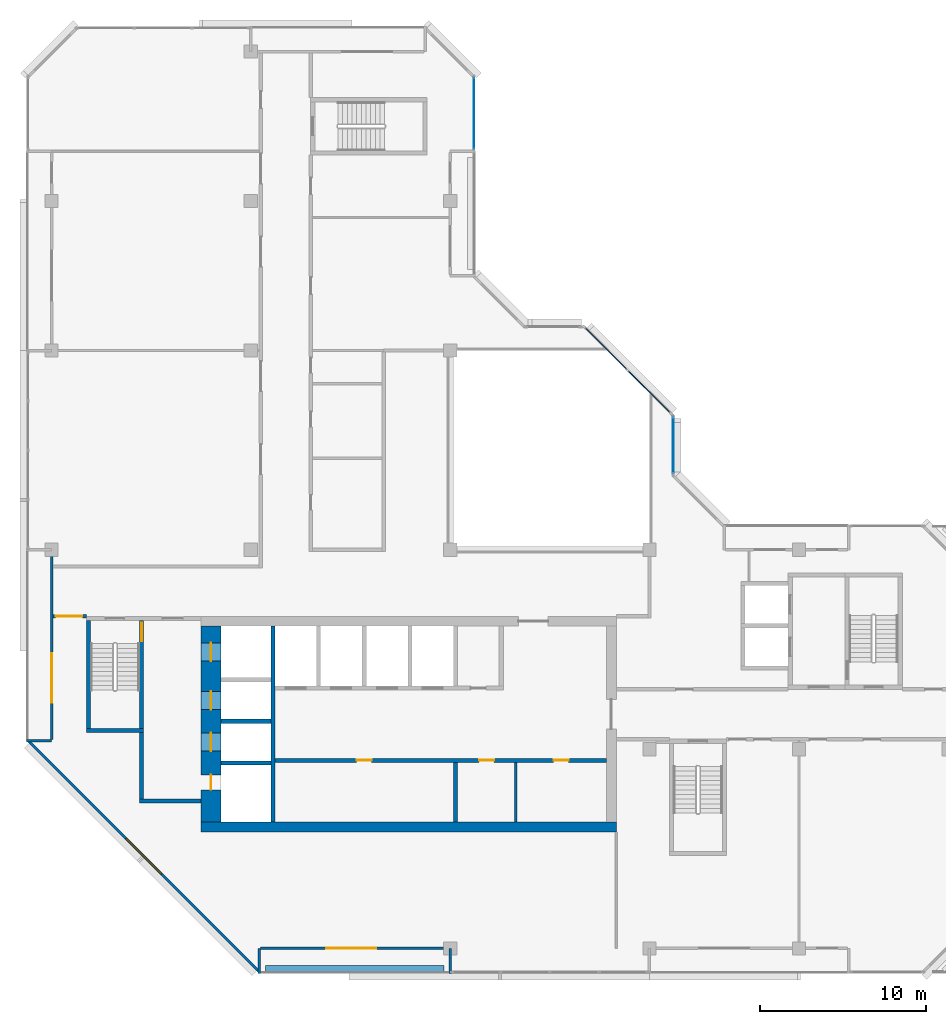
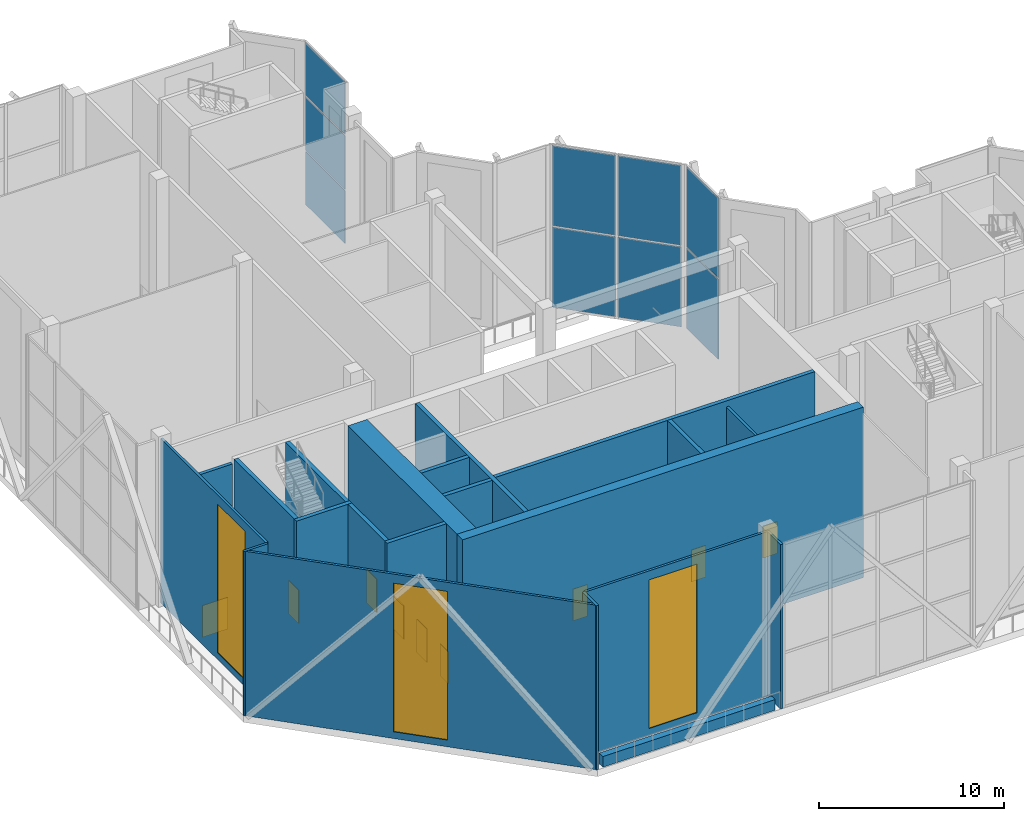
# One storey, part 8 of 16: 21 walls, 9 doors, 9 plates, 3 windows, 12 openings, 3 elements without a shape of their own.
"""IFC4 building model written with IfcOpenShell, lengths in metres."""

from ifc_helpers import new_model, si_unit, direction, frame, frame_2d, origin, origin_2d, place, context, subcontext, project, spatial, rectangle, extrude, material, layer, layer_set, type_object, element, fill, aggregate, save


model = new_model("IFC4")

# Units and contexts
model_context = context("Model", 3, precision=1e-05, world=origin(), true_north=direction((0.0, 1.0)))
body_context = subcontext(model_context, "Body", "Model", "MODEL_VIEW")
ifc_project = project(units=[si_unit("LENGTHUNIT", "METRE"), si_unit("AREAUNIT", "SQUARE_METRE"), si_unit("VOLUMEUNIT", "CUBIC_METRE"), si_unit("PLANEANGLEUNIT", "RADIAN"), si_unit("MASSUNIT", "GRAM", prefix="KILO")], contexts=[model_context])

# Site, building, storey
site_placement = place(None, origin())
site = spatial("IfcSite", under=ifc_project, at=site_placement, CompositionType="ELEMENT")
building_placement = place(site_placement, origin())
building = spatial("IfcBuilding", under=site, at=building_placement, Name="Chenar Terraces", CompositionType="ELEMENT")
storey_placement = place(building_placement, frame((0.0, 0.0, 327.64990234375)))
storey = spatial("IfcBuildingStorey", under=building, at=storey_placement, Name="L77", CompositionType="ELEMENT", Elevation=327.64990234375)

# Curtain wall, plates
ifc_material_1 = material(Name="Aluminium framed glazing", Category="aluminium")
ifc_layer_1 = layer(ifc_material_1, 0.14990234375)
ifc_layer_set_1 = layer_set([ifc_layer_1], Name="Aluminium framed glazing")
curtain_wall_type_1 = type_object("IfcCurtainWallType", Name="Atrium upper-zone curtain wall", PredefinedType="NOTDEFINED", material=ifc_layer_set_1)
placement = place(storey_placement, origin())
curtain_wall_1 = element("IfcCurtainWall", 1, at=placement, inside=storey, type_object=curtain_wall_type_1, Name="Atrium upper-zone curtain wall", PredefinedType="NOTDEFINED")
ifc_material_2 = material(Name="Low emissivity laminated glass, solar control coating", Category="glass")
ifc_layer_2 = layer(ifc_material_2, 0.050048828125)
ifc_layer_set_2 = layer_set([ifc_layer_2], Name="Low emissivity laminated glass, solar control coating")
plate_type_1 = type_object("IfcPlateType", Name="Atrium upper-zone glazing panel 50", PredefinedType="CURTAIN_PANEL", material=ifc_layer_set_2)
plate_1_placement = place(storey_placement, frame((37.425048828125, 30.300048828125, 0.10009765625), z_axis=(0.0, 0.0, 1.0), x_axis=(0.0, 1.0, 0.0)))
plate_1 = element("IfcPlate", 2, at=plate_1_placement, type_object=plate_type_1, Name="CW8-1 panel 1.1", PredefinedType="CURTAIN_PANEL", context=body_context, shape_type="SweptSolid", body=[
    extrude(rectangle(XDim=3.39990234375, YDim=0.050048828125, at=origin_2d()), origin(), (0.0, 0.0, 1.0), 5.27490234375),
])
plate_2_placement = place(storey_placement, frame((37.425048828125, 30.300048828125, 5.47509765625), z_axis=(0.0, 0.0, 1.0), x_axis=(0.0, 1.0, 0.0)))
plate_2 = element("IfcPlate", 3, at=plate_2_placement, type_object=plate_type_1, Name="CW8-1 panel 1.2", PredefinedType="CURTAIN_PANEL", context=body_context, shape_type="SweptSolid", body=[
    extrude(rectangle(XDim=3.39990234375, YDim=0.050048828125, at=origin_2d()), origin(), (0.0, 0.0, 1.0), 5.27490234375),
])
aggregate(curtain_wall_1, [plate_1, plate_2])

curtain_wall_2 = element("IfcCurtainWall", 4, at=placement, inside=storey, type_object=curtain_wall_type_1, Name="Atrium upper-zone curtain wall", PredefinedType="NOTDEFINED")
plate_3_placement = place(storey_placement, frame((35.97314453125, 33.520751953125, 0.10009765625), z_axis=(0.0, 0.0, 1.0), x_axis=(-0.707106781187, 0.707106781187, 0.0)))
plate_3 = element("IfcPlate", 5, at=plate_3_placement, type_object=plate_type_1, Name="CW8-2 panel 1.1", PredefinedType="CURTAIN_PANEL", context=body_context, shape_type="SweptSolid", body=[
    extrude(rectangle(XDim=3.568359375, YDim=0.050048828125, at=origin_2d()), origin(), (0.0, 0.0, 1.0), 5.27490234375),
])
plate_4_placement = place(storey_placement, frame((35.97314453125, 33.520751953125, 5.47509765625), z_axis=(0.0, 0.0, 1.0), x_axis=(-0.707106781187, 0.707106781187, 0.0)))
plate_4 = element("IfcPlate", 6, at=plate_4_placement, type_object=plate_type_1, Name="CW8-2 panel 1.2", PredefinedType="CURTAIN_PANEL", context=body_context, shape_type="SweptSolid", body=[
    extrude(rectangle(XDim=3.568359375, YDim=0.050048828125, at=origin_2d()), origin(), (0.0, 0.0, 1.0), 5.27490234375),
])
plate_5_placement = place(storey_placement, frame((33.379150390625, 36.11474609375, 0.10009765625), z_axis=(0.0, 0.0, 1.0), x_axis=(-0.707106781187, 0.707106781187, 0.0)))
plate_5 = element("IfcPlate", 7, at=plate_5_placement, type_object=plate_type_1, Name="CW8-2 panel 2.1", PredefinedType="CURTAIN_PANEL", context=body_context, shape_type="SweptSolid", body=[
    extrude(rectangle(XDim=3.568359375, YDim=0.050048828125, at=origin_2d()), origin(), (0.0, 0.0, 1.0), 5.27490234375),
])
plate_6_placement = place(storey_placement, frame((33.379150390625, 36.11474609375, 5.47509765625), z_axis=(0.0, 0.0, 1.0), x_axis=(-0.707106781187, 0.707106781187, 0.0)))
plate_6 = element("IfcPlate", 8, at=plate_6_placement, type_object=plate_type_1, Name="CW8-2 panel 2.2", PredefinedType="CURTAIN_PANEL", context=body_context, shape_type="SweptSolid", body=[
    extrude(rectangle(XDim=3.568359375, YDim=0.050048828125, at=origin_2d()), origin(), (0.0, 0.0, 1.0), 5.27490234375),
])
aggregate(curtain_wall_2, [plate_3, plate_4, plate_5, plate_6])

ifc_material_3 = material(Name="Aluminium framed glazing", Category="aluminium")
ifc_layer_3 = layer(ifc_material_3, 0.14990234375)
ifc_layer_set_3 = layer_set([ifc_layer_3], Name="Aluminium framed glazing")
curtain_wall_type_2 = type_object("IfcCurtainWallType", Name="Sky garden curtain wall", PredefinedType="NOTDEFINED", material=ifc_layer_set_3)
curtain_wall_3 = element("IfcCurtainWall", 9, at=placement, inside=storey, type_object=curtain_wall_type_2, Name="Sky garden curtain wall", PredefinedType="NOTDEFINED")
ifc_material_4 = material(Name="Low emissivity laminated glass, solar control coating", Category="glass")
ifc_layer_4 = layer(ifc_material_4, 0.031982421875)
ifc_layer_set_4 = layer_set([ifc_layer_4], Name="Low emissivity laminated glass, solar control coating")
plate_type_2 = type_object("IfcPlateType", Name="Sky garden glazing panel 32", PredefinedType="CURTAIN_PANEL", material=ifc_layer_set_4)
plate_7_placement = place(storey_placement, frame((25.425048828125, 50.28759765625, 0.080078125), z_axis=(0.0, 0.0, 1.0), x_axis=(0.0, 1.0, 0.0)))
plate_7 = element("IfcPlate", 10, at=plate_7_placement, type_object=plate_type_2, Name="CW3-02 panel 1.1", PredefinedType="CURTAIN_PANEL", context=body_context, shape_type="SweptSolid", body=[
    extrude(rectangle(XDim=4.264892578125, YDim=0.028076171875, at=origin_2d()), origin(), (0.0, 0.0, 1.0), 3.4970703125),
])
plate_8_placement = place(storey_placement, frame((25.425048828125, 50.28759765625, 3.6572265625), z_axis=(0.0, 0.0, 1.0), x_axis=(0.0, 1.0, 0.0)))
plate_8 = element("IfcPlate", 11, at=plate_8_placement, type_object=plate_type_2, Name="CW3-02 panel 1.2", PredefinedType="CURTAIN_PANEL", context=body_context, shape_type="SweptSolid", body=[
    extrude(rectangle(XDim=4.264892578125, YDim=0.028076171875, at=origin_2d()), origin(), (0.0, 0.0, 1.0), 3.535888671875),
])
plate_9_placement = place(storey_placement, frame((25.425048828125, 50.28759765625, 7.27294921875), z_axis=(0.0, 0.0, 1.0), x_axis=(0.0, 1.0, 0.0)))
plate_9 = element("IfcPlate", 12, at=plate_9_placement, type_object=plate_type_2, Name="CW3-02 panel 1.3", PredefinedType="CURTAIN_PANEL", context=body_context, shape_type="SweptSolid", body=[
    extrude(rectangle(XDim=4.264892578125, YDim=0.028076171875, at=origin_2d()), origin(), (0.0, 0.0, 1.0), 3.4970703125),
])
aggregate(curtain_wall_3, [plate_7, plate_8, plate_9])

# Wall
ifc_material_5 = material(Name="Gypsum board on steel studs", Category="steel")
ifc_layer_5 = layer(ifc_material_5, 0.14990234375)
ifc_layer_set_5 = layer_set([ifc_layer_5], Name="Gypsum board on steel studs")
wall_type_1 = type_object("IfcWallType", Name="Core partition 150 gypsum board", PredefinedType="PARTITIONING", material=ifc_layer_set_5)
wall_1_placement = place(storey_placement, frame((27.949951171875, 7.60009765625, 0.0), z_axis=(0.0, 0.0, 1.0), x_axis=(0.0, 1.0, 0.0)))
element("IfcWall", 13, at=wall_1_placement, inside=storey, type_object=wall_type_1, Name="Core partition CP1 freed bay wall", PredefinedType="PARTITIONING", context=body_context, shape_type="SweptSolid", body=[
    extrude(rectangle(XDim=3.599853515625, YDim=0.14990234375, at=frame_2d((1.7998046875, 0.0))), origin(), (0.0, 0.0, 1.0), 10.85009765625),
])

# Wall, openings, doors
ifc_material_6 = material(Name="Concrete C50/60", Category="concrete")
ifc_layer_6 = layer(ifc_material_6, 1.199951171875)
ifc_layer_set_6 = layer_set([ifc_layer_6], Name="Concrete C50/60")
wall_type_2 = type_object("IfcWallType", Name="Core wall 1200 Concrete C50/60", PredefinedType="SHEAR", material=ifc_layer_set_6)
wall_2_placement = place(storey_placement, frame((9.60009765625, 7.60009765625, 0.0), z_axis=(0.0, 0.0, 1.0), x_axis=(0.0, 1.0, 0.0)))
wall_2 = element("IfcWall", 14, at=wall_2_placement, inside=storey, type_object=wall_type_2, Name="Core wall W L77", PredefinedType="SHEAR", context=body_context, shape_type="SweptSolid", body=[
    extrude(rectangle(XDim=11.7998046875, YDim=1.199951171875, at=frame_2d((5.89990234375, 0.0))), origin(), (0.0, 0.0, 1.0), 11.25),
])
opening_1_placement = place(wall_2_placement, frame((4.27490234375, 0.0, 0.0)))
opening_1 = element("IfcOpeningElement", 15, at=opening_1_placement, cuts=wall_2, Name="Opening DL77-LD5", PredefinedType="OPENING", context=body_context, shape_type="SweptSolid", body=[
    extrude(rectangle(XDim=1.10009765625, YDim=2.199951171875, at=frame_2d((0.550048828125, 1.10009765625))), frame((0.0, 0.60986328125, 0.0), z_axis=(0.0, -1.0, 0.0), x_axis=(1.0, 0.0, 0.0)), (0.0, 0.0, 1.0), 1.219970703125),
])
opening_2_placement = place(wall_2_placement, frame((6.77490234375, 0.0, 0.0)))
opening_2 = element("IfcOpeningElement", 16, at=opening_2_placement, cuts=wall_2, Name="Opening DL77-LD6", PredefinedType="OPENING", context=body_context, shape_type="SweptSolid", body=[
    extrude(rectangle(XDim=1.10009765625, YDim=2.199951171875, at=frame_2d((0.550048828125, 1.10009765625))), frame((0.0, 0.60986328125, 0.0), z_axis=(0.0, -1.0, 0.0), x_axis=(1.0, 0.0, 0.0)), (0.0, 0.0, 1.0), 1.219970703125),
])
opening_3_placement = place(wall_2_placement, frame((9.699951171875, 0.0, 0.0)))
opening_3 = element("IfcOpeningElement", 17, at=opening_3_placement, cuts=wall_2, Name="Opening DL77-LD7", PredefinedType="OPENING", context=body_context, shape_type="SweptSolid", body=[
    extrude(rectangle(XDim=1.10009765625, YDim=2.199951171875, at=frame_2d((0.550048828125, 1.10009765625))), frame((0.0, 0.60986328125, 0.0), z_axis=(0.0, -1.0, 0.0), x_axis=(1.0, 0.0, 0.0)), (0.0, 0.0, 1.0), 1.219970703125),
])
opening_4_placement = place(wall_2_placement, frame((1.949951171875, 0.0, 0.0)))
opening_4 = element("IfcOpeningElement", 18, at=opening_4_placement, cuts=wall_2, Name="Opening DL77-C4", PredefinedType="OPENING", context=body_context, shape_type="SweptSolid", body=[
    extrude(rectangle(XDim=0.89990234375, YDim=2.10009765625, at=frame_2d((0.449951171875, 1.050048828125))), frame((0.0, 0.60986328125, 0.0), z_axis=(0.0, -1.0, 0.0), x_axis=(1.0, 0.0, 0.0)), (0.0, 0.0, 1.0), 1.219970703125),
])
ifc_material_7 = material(Name="Stainless steel", Category="steel")
door_type_1 = type_object("IfcDoorType", Name="Lift landing door 1100 x 2200 sliding", OperationType="DOUBLE_DOOR_SLIDING", PredefinedType="DOOR", material=ifc_material_7)
door_1_placement = place(opening_1_placement, origin())
door_1 = element("IfcDoor", 19, at=door_1_placement, inside=storey, type_object=door_type_1, Name="Landing door S1", OperationType="DOUBLE_DOOR_SLIDING", OverallHeight=2.199951171875, OverallWidth=1.10009765625, PredefinedType="DOOR", context=body_context, shape_type="SweptSolid", body=[
    extrude(rectangle(XDim=1.10009765625, YDim=2.199951171875, at=frame_2d((0.550048828125, 1.10009765625))), frame((0.0, 0.02490234375, 0.0), z_axis=(0.0, -1.0, 0.0), x_axis=(1.0, 0.0, 0.0)), (0.0, 0.0, 1.0), 0.050048828125),
])
fill(opening_1, door_1)
door_2_placement = place(opening_2_placement, origin())
door_2 = element("IfcDoor", 20, at=door_2_placement, inside=storey, type_object=door_type_1, Name="Landing door F1", OperationType="DOUBLE_DOOR_SLIDING", OverallHeight=2.199951171875, OverallWidth=1.10009765625, PredefinedType="DOOR", context=body_context, shape_type="SweptSolid", body=[
    extrude(rectangle(XDim=1.10009765625, YDim=2.199951171875, at=frame_2d((0.550048828125, 1.10009765625))), frame((0.0, 0.02490234375, 0.0), z_axis=(0.0, -1.0, 0.0), x_axis=(1.0, 0.0, 0.0)), (0.0, 0.0, 1.0), 0.050048828125),
])
fill(opening_2, door_2)
door_3_placement = place(opening_3_placement, origin())
door_3 = element("IfcDoor", 21, at=door_3_placement, inside=storey, type_object=door_type_1, Name="Landing door F2", OperationType="DOUBLE_DOOR_SLIDING", OverallHeight=2.199951171875, OverallWidth=1.10009765625, PredefinedType="DOOR", context=body_context, shape_type="SweptSolid", body=[
    extrude(rectangle(XDim=1.10009765625, YDim=2.199951171875, at=frame_2d((0.550048828125, 1.10009765625))), frame((0.0, 0.02490234375, 0.0), z_axis=(0.0, -1.0, 0.0), x_axis=(1.0, 0.0, 0.0)), (0.0, 0.0, 1.0), 0.050048828125),
])
fill(opening_3, door_3)
ifc_material_8 = material(Name="Steel-framed fire-resisting door leaf", Category="steel")
door_type_2 = type_object("IfcDoorType", Name="Riser fire door FD60 900 x 2100", OperationType="SINGLE_SWING_LEFT", PredefinedType="DOOR", material=ifc_material_8)
door_4_placement = place(opening_4_placement, frame((0.89990234375, 0.0, 0.0), z_axis=(0.0, 0.0, 1.0), x_axis=(-1.0, 0.0, 0.0)))
door_4 = element("IfcDoor", 22, at=door_4_placement, inside=storey, type_object=door_type_2, Name="Riser door DL77-C4", OperationType="SINGLE_SWING_LEFT", OverallHeight=2.10009765625, OverallWidth=0.89990234375, PredefinedType="DOOR", context=body_context, shape_type="SweptSolid", body=[
    extrude(rectangle(XDim=0.89990234375, YDim=2.10009765625, at=frame_2d((0.449951171875, 1.050048828125))), frame((0.0, 0.02490234375, 0.0), z_axis=(0.0, -1.0, 0.0), x_axis=(1.0, 0.0, 0.0)), (0.0, 0.0, 1.0), 0.050048828125),
])
fill(opening_4, door_4)

# Wall
ifc_material_9 = material(Name="Concrete C50/60", Category="concrete")
ifc_layer_7 = layer(ifc_material_9, 0.25)
ifc_layer_set_7 = layer_set([ifc_layer_7], Name="Concrete C50/60")
wall_type_3 = type_object("IfcWallType", Name="Core wall 250 Concrete C50/60", PredefinedType="SHEAR", material=ifc_layer_set_7)
wall_3_placement = place(storey_placement, frame((13.324951171875, 7.60009765625, 0.0), z_axis=(0.0, 0.0, 1.0), x_axis=(0.0, 1.0, 0.0)))
element("IfcWall", 23, at=wall_3_placement, inside=storey, type_object=wall_type_3, Name="Core wall WI L77", PredefinedType="SHEAR", context=body_context, shape_type="SweptSolid", body=[
    extrude(rectangle(XDim=11.7998046875, YDim=0.25, at=frame_2d((5.89990234375, 0.0))), origin(), (0.0, 0.0, 1.0), 11.25),
])

# Wall, openings, doors
wall_4_placement = place(storey_placement, frame((13.449951171875, 11.324951171875, 0.0), z_axis=(0.0, 0.0, 1.0), x_axis=(1.0, 0.0, 0.0)))
wall_4 = element("IfcWall", 24, at=wall_4_placement, inside=storey, type_object=wall_type_3, Name="Core wall SF L77", PredefinedType="SHEAR", context=body_context, shape_type="SweptSolid", body=[
    extrude(rectangle(XDim=19.949951171875, YDim=0.25, at=frame_2d((9.97509765625, 0.0))), origin(), (0.0, 0.0, 1.0), 11.25),
])
opening_5_placement = place(wall_4_placement, frame((4.925048828125, 0.0, 0.0)))
opening_5 = element("IfcOpeningElement", 25, at=opening_5_placement, cuts=wall_4, Name="Opening DL77-C12", PredefinedType="OPENING", context=body_context, shape_type="SweptSolid", body=[
    extrude(rectangle(XDim=0.89990234375, YDim=2.10009765625, at=frame_2d((0.449951171875, 1.050048828125))), frame((0.0, 0.135009765625, 0.0), z_axis=(0.0, -1.0, 0.0), x_axis=(1.0, 0.0, 0.0)), (0.0, 0.0, 1.0), 0.27001953125),
])
opening_6_placement = place(wall_4_placement, frame((12.300048828125, 0.0, 0.0)))
opening_6 = element("IfcOpeningElement", 26, at=opening_6_placement, cuts=wall_4, Name="Opening DL77-C13", PredefinedType="OPENING", context=body_context, shape_type="SweptSolid", body=[
    extrude(rectangle(XDim=0.89990234375, YDim=2.10009765625, at=frame_2d((0.449951171875, 1.050048828125))), frame((0.0, 0.135009765625, 0.0), z_axis=(0.0, -1.0, 0.0), x_axis=(1.0, 0.0, 0.0)), (0.0, 0.0, 1.0), 0.27001953125),
])
opening_7_placement = place(wall_4_placement, frame((16.77490234375, 0.0, 0.0)))
opening_7 = element("IfcOpeningElement", 27, at=opening_7_placement, cuts=wall_4, Name="Opening DL77-C14", PredefinedType="OPENING", context=body_context, shape_type="SweptSolid", body=[
    extrude(rectangle(XDim=0.89990234375, YDim=2.10009765625, at=frame_2d((0.449951171875, 1.050048828125))), frame((0.0, 0.135009765625, 0.0), z_axis=(0.0, -1.0, 0.0), x_axis=(1.0, 0.0, 0.0)), (0.0, 0.0, 1.0), 0.27001953125),
])
door_5_placement = place(opening_5_placement, frame((0.89990234375, 0.0, 0.0), z_axis=(0.0, 0.0, 1.0), x_axis=(-1.0, 0.0, 0.0)))
door_5 = element("IfcDoor", 28, at=door_5_placement, inside=storey, type_object=door_type_2, Name="Core room door DL77-C12", OperationType="SINGLE_SWING_RIGHT", OverallHeight=2.10009765625, OverallWidth=0.89990234375, PredefinedType="DOOR", context=body_context, shape_type="SweptSolid", body=[
    extrude(rectangle(XDim=0.89990234375, YDim=2.10009765625, at=frame_2d((0.449951171875, 1.050048828125))), frame((0.0, 0.02490234375, 0.0), z_axis=(0.0, -1.0, 0.0), x_axis=(1.0, 0.0, 0.0)), (0.0, 0.0, 1.0), 0.050048828125),
])
fill(opening_5, door_5)
door_6_placement = place(opening_6_placement, frame((0.89990234375, 0.0, 0.0), z_axis=(0.0, 0.0, 1.0), x_axis=(-1.0, 0.0, 0.0)))
door_6 = element("IfcDoor", 29, at=door_6_placement, inside=storey, type_object=door_type_2, Name="Core room door DL77-C13", OperationType="SINGLE_SWING_LEFT", OverallHeight=2.10009765625, OverallWidth=0.89990234375, PredefinedType="DOOR", context=body_context, shape_type="SweptSolid", body=[
    extrude(rectangle(XDim=0.89990234375, YDim=2.10009765625, at=frame_2d((0.449951171875, 1.050048828125))), frame((0.0, 0.02490234375, 0.0), z_axis=(0.0, -1.0, 0.0), x_axis=(1.0, 0.0, 0.0)), (0.0, 0.0, 1.0), 0.050048828125),
])
fill(opening_6, door_6)
door_7_placement = place(opening_7_placement, frame((0.89990234375, 0.0, 0.0), z_axis=(0.0, 0.0, 1.0), x_axis=(-1.0, 0.0, 0.0)))
door_7 = element("IfcDoor", 30, at=door_7_placement, inside=storey, type_object=door_type_2, Name="Core room door DL77-C14", OperationType="SINGLE_SWING_LEFT", OverallHeight=2.10009765625, OverallWidth=0.89990234375, PredefinedType="DOOR", context=body_context, shape_type="SweptSolid", body=[
    extrude(rectangle(XDim=0.89990234375, YDim=2.10009765625, at=frame_2d((0.449951171875, 1.050048828125))), frame((0.0, 0.02490234375, 0.0), z_axis=(0.0, -1.0, 0.0), x_axis=(1.0, 0.0, 0.0)), (0.0, 0.0, 1.0), 0.050048828125),
])
fill(opening_7, door_7)

# Walls
for number, where, z_axis, x_axis, name in (
    (31, (10.199951171875, 11.175048828125, 0.0), (0.0, 0.0, 1.0), (1.0, 0.0, 0.0), "Core wall HW0 L77"),
    (32, (10.199951171875, 13.675048828125, 0.0), (0.0, 0.0, 1.0), (1.0, 0.0, 0.0), "Core wall HW1 L77"),
):
    element("IfcWall", number, at=place(storey_placement, frame(where, z_axis=z_axis, x_axis=x_axis)), inside=storey, type_object=wall_type_3, Name=name, PredefinedType="SHEAR", context=body_context, shape_type="SweptSolid", body=[
        extrude(rectangle(XDim=3.0, YDim=0.25, at=frame_2d((1.5, 0.0))), origin(), (0.0, 0.0, 1.0), 11.25),
    ])
wall_5_placement = place(storey_placement, frame((24.324951171875, 7.60009765625, 0.0), z_axis=(0.0, 0.0, 1.0), x_axis=(0.0, 1.0, 0.0)))
element("IfcWall", 33, at=wall_5_placement, inside=storey, type_object=wall_type_3, Name="Core wall SS3 L77", PredefinedType="SHEAR", context=body_context, shape_type="SweptSolid", body=[
    extrude(rectangle(XDim=3.599853515625, YDim=0.25, at=frame_2d((1.7998046875, 0.0))), origin(), (0.0, 0.0, 1.0), 11.25),
])
wall_6_placement = place(storey_placement, frame((2.10009765625, 13.125, 0.0), z_axis=(0.0, 0.0, 1.0), x_axis=(1.0, 0.0, 0.0)))
element("IfcWall", 34, at=wall_6_placement, inside=storey, type_object=wall_type_3, Name="Core wall ST1_S L77", PredefinedType="SHEAR", context=body_context, shape_type="SweptSolid", body=[
    extrude(rectangle(XDim=3.449951171875, YDim=0.25, at=frame_2d((1.72509765625, 0.0))), origin(), (0.0, 0.0, 1.0), 11.25),
])
wall_7_placement = place(storey_placement, frame((2.22509765625, 13.25, 0.0), z_axis=(0.0, 0.0, 1.0), x_axis=(0.0, 1.0, 0.0)))
element("IfcWall", 35, at=wall_7_placement, inside=storey, type_object=wall_type_3, Name="Core wall ST1_W L77", PredefinedType="SHEAR", context=body_context, shape_type="SweptSolid", body=[
    extrude(rectangle(XDim=6.5, YDim=0.25, at=frame_2d((3.25, 0.0))), origin(), (0.0, 0.0, 1.0), 11.25),
])

# Wall, opening, door
wall_8_placement = place(storey_placement, frame((5.425048828125, 13.25, 0.0), z_axis=(0.0, 0.0, 1.0), x_axis=(0.0, 1.0, 0.0)))
wall_8 = element("IfcWall", 36, at=wall_8_placement, inside=storey, type_object=wall_type_3, Name="Core wall ST1_E L77", PredefinedType="SHEAR", context=body_context, shape_type="SweptSolid", body=[
    extrude(rectangle(XDim=6.5, YDim=0.25, at=frame_2d((3.25, 0.0))), origin(), (0.0, 0.0, 1.0), 11.25),
])
opening_8_placement = place(wall_8_placement, frame((5.25, 0.0, 0.0)))
opening_8 = element("IfcOpeningElement", 37, at=opening_8_placement, cuts=wall_8, Name="Opening DL77-C3", PredefinedType="OPENING", context=body_context, shape_type="SweptSolid", body=[
    extrude(rectangle(XDim=1.10009765625, YDim=2.199951171875, at=frame_2d((0.550048828125, 1.10009765625))), frame((0.0, 0.135009765625, 0.0), z_axis=(0.0, -1.0, 0.0), x_axis=(1.0, 0.0, 0.0)), (0.0, 0.0, 1.0), 0.27001953125),
])
ifc_material_10 = material(Name="Steel-framed fire-resisting door leaf", Category="steel")
door_type_3 = type_object("IfcDoorType", Name="Stair fire door FD60 1100 x 2200", OperationType="SINGLE_SWING_LEFT", PredefinedType="DOOR", material=ifc_material_10)
door_8_placement = place(opening_8_placement, origin())
door_8 = element("IfcDoor", 38, at=door_8_placement, inside=storey, type_object=door_type_3, Name="Stair door DL77-C3", OperationType="SINGLE_SWING_RIGHT", OverallHeight=2.199951171875, OverallWidth=1.10009765625, PredefinedType="DOOR", context=body_context, shape_type="SweptSolid", body=[
    extrude(rectangle(XDim=1.10009765625, YDim=2.199951171875, at=frame_2d((0.550048828125, 1.10009765625))), frame((0.0, 0.02490234375, 0.0), z_axis=(0.0, -1.0, 0.0), x_axis=(1.0, 0.0, 0.0)), (0.0, 0.0, 1.0), 0.050048828125),
])
fill(opening_8, door_8)

# Walls
wall_9_placement = place(storey_placement, frame((5.300048828125, 8.875, 0.0), z_axis=(0.0, 0.0, 1.0), x_axis=(1.0, 0.0, 0.0)))
element("IfcWall", 39, at=wall_9_placement, inside=storey, type_object=wall_type_3, Name="Core wall FFL_S L77", PredefinedType="SHEAR", context=body_context, shape_type="SweptSolid", body=[
    extrude(rectangle(XDim=3.699951171875, YDim=0.25, at=frame_2d((1.85009765625, 0.0))), origin(), (0.0, 0.0, 1.0), 11.25),
])
wall_10_placement = place(storey_placement, frame((5.425048828125, 9.0, 0.0), z_axis=(0.0, 0.0, 1.0), x_axis=(0.0, 1.0, 0.0)))
element("IfcWall", 40, at=wall_10_placement, inside=storey, type_object=wall_type_3, Name="Core wall FFL_W L77", PredefinedType="SHEAR", context=body_context, shape_type="SweptSolid", body=[
    extrude(rectangle(XDim=4.0, YDim=0.25, at=frame_2d((2.0, 0.0))), origin(), (0.0, 0.0, 1.0), 11.25),
])
ifc_material_11 = material(Name="Concrete C50/60", Category="concrete")
ifc_layer_8 = layer(ifc_material_11, 0.60009765625)
ifc_layer_set_8 = layer_set([ifc_layer_8], Name="Concrete C50/60")
wall_type_4 = type_object("IfcWallType", Name="Core wall 600 Concrete C50/60", PredefinedType="SHEAR", material=ifc_layer_set_8)
wall_11_placement = place(storey_placement, frame((9.0, 7.300048828125, 0.0), z_axis=(0.0, 0.0, 1.0), x_axis=(1.0, 0.0, 0.0)))
element("IfcWall", 41, at=wall_11_placement, inside=storey, type_object=wall_type_4, Name="Core wall S L77", PredefinedType="SHEAR", context=body_context, shape_type="SweptSolid", body=[
    extrude(rectangle(XDim=25.0, YDim=0.60009765625, at=frame_2d((12.5, 0.0))), origin(), (0.0, 0.0, 1.0), 11.25),
])

# Wall, opening, door
ifc_material_12 = material(Name="Gypsum board on steel studs with fire boards", Category="steel")
ifc_layer_9 = layer(ifc_material_12, 0.199951171875)
ifc_layer_set_9 = layer_set([ifc_layer_9], Name="Gypsum board on steel studs with fire boards")
wall_type_5 = type_object("IfcWallType", Name="Corridor wall 200", PredefinedType="PARTITIONING", material=ifc_layer_set_9)
wall_12_placement = place(storey_placement, frame((0.073974609375, 20.0, 0.0), z_axis=(0.0, 0.0, 1.0), x_axis=(1.0, 0.0, 0.0)))
wall_12 = element("IfcWall", 42, at=wall_12_placement, inside=storey, type_object=wall_type_5, Name="Partition L77-003", PredefinedType="PARTITIONING", context=body_context, shape_type="SweptSolid", body=[
    extrude(rectangle(XDim=2.026123046875, YDim=0.199951171875, at=frame_2d((1.01318359375, 0.0))), origin(), (0.0, 0.0, 1.0), 10.85009765625),
])
opening_9_placement = place(wall_12_placement, frame((0.176025390625, 0.0, 0.0)))
opening_9 = element("IfcOpeningElement", 43, at=opening_9_placement, cuts=wall_12, Name="Opening DL77-14", PredefinedType="OPENING", context=body_context, shape_type="SweptSolid", body=[
    extrude(rectangle(XDim=1.60009765625, YDim=2.10009765625, at=frame_2d((0.800048828125, 1.050048828125))), frame((0.0, 0.10986328125, 0.0), z_axis=(0.0, -1.0, 0.0), x_axis=(1.0, 0.0, 0.0)), (0.0, 0.0, 1.0), 0.219970703125),
])
ifc_material_13 = material(Name="Steel-framed fire-resisting door leaf", Category="steel")
door_type_4 = type_object("IfcDoorType", Name="Fire double door FD60 1600 x 2100", OperationType="DOUBLE_DOOR_SINGLE_SWING", PredefinedType="DOOR", material=ifc_material_13)
door_9_placement = place(opening_9_placement, origin())
door_9 = element("IfcDoor", 44, at=door_9_placement, inside=storey, type_object=door_type_4, Name="Door DL77-14", OperationType="DOUBLE_DOOR_SINGLE_SWING", OverallHeight=2.10009765625, OverallWidth=1.60009765625, PredefinedType="DOOR", context=body_context, shape_type="SweptSolid", body=[
    extrude(rectangle(XDim=1.60009765625, YDim=2.10009765625, at=frame_2d((0.800048828125, 1.050048828125))), frame((0.0, 0.02490234375, 0.0), z_axis=(0.0, -1.0, 0.0), x_axis=(1.0, 0.0, 0.0)), (0.0, 0.0, 1.0), 0.050048828125),
])
fill(opening_9, door_9)

# Wall, opening, window
ifc_material_14 = material(Name="Aluminium framed glazing", Category="aluminium")
ifc_layer_10 = layer(ifc_material_14, 0.14990234375)
ifc_layer_set_10 = layer_set([ifc_layer_10], Name="Aluminium framed glazing")
wall_type_6 = type_object("IfcWallType", Name="Glazed loggia back wall 150", PredefinedType="SOLIDWALL", material=ifc_layer_set_10)
wall_13_placement = place(storey_placement, frame((0.0, 23.925048828125, 0.0), z_axis=(0.0, 0.0, 1.0), x_axis=(0.0, -1.0, 0.0)))
wall_13 = element("IfcWall", 45, at=wall_13_placement, inside=storey, type_object=wall_type_6, Name="Glazed loggia back wall", PredefinedType="SOLIDWALL", context=body_context, shape_type="SweptSolid", body=[
    extrude(rectangle(XDim=11.35009765625, YDim=0.14990234375, at=frame_2d((5.675048828125, 0.0))), origin(), (0.0, 0.0, 1.0), 10.85009765625),
])
opening_10_placement = place(wall_13_placement, frame((6.137451171875, 0.0, 0.449951171875)))
opening_10 = element("IfcOpeningElement", 46, at=opening_10_placement, cuts=wall_13, Name="Opening W300x980", PredefinedType="OPENING", context=body_context, shape_type="SweptSolid", body=[
    extrude(rectangle(XDim=3.0, YDim=9.800048828125, at=frame_2d((1.5, 4.89990234375))), frame((0.0, 0.0849609375, 0.0), z_axis=(0.0, -1.0, 0.0), x_axis=(1.0, 0.0, 0.0)), (0.0, 0.0, 1.0), 0.169921875),
])
ifc_material_15 = material(Name="Low emissivity double glazing, aluminium frame", Category="aluminium")
window_type = type_object("IfcWindowType", Name="Fixed light 3000 x 9800", PartitioningType="SINGLE_PANEL", PredefinedType="WINDOW", material=ifc_material_15)
window_1_placement = place(opening_10_placement, origin())
window_1 = element("IfcWindow", 47, at=window_1_placement, inside=storey, type_object=window_type, Name="Window", OverallHeight=9.800048828125, OverallWidth=3.0, PartitioningType="SINGLE_PANEL", PredefinedType="WINDOW", context=body_context, shape_type="SweptSolid", body=[
    extrude(rectangle(XDim=3.0, YDim=9.800048828125, at=frame_2d((1.5, 4.89990234375))), frame((0.0, 0.030029296875, 0.0), z_axis=(0.0, -1.0, 0.0), x_axis=(1.0, 0.0, 0.0)), (0.0, 0.0, 1.0), 0.06005859375),
])
fill(opening_10, window_1)

wall_14_placement = place(storey_placement, frame((12.574951171875, 0.0, 0.0), z_axis=(0.0, 0.0, 1.0), x_axis=(1.0, 0.0, 0.0)))
wall_14 = element("IfcWall", 48, at=wall_14_placement, inside=storey, type_object=wall_type_6, Name="Glazed loggia back wall", PredefinedType="SOLIDWALL", context=body_context, shape_type="SweptSolid", body=[
    extrude(rectangle(XDim=11.35009765625, YDim=0.14990234375, at=frame_2d((5.675048828125, 0.0))), origin(), (0.0, 0.0, 1.0), 10.85009765625),
])
opening_11_placement = place(wall_14_placement, frame((3.96240234375, 0.0, 0.449951171875)))
opening_11 = element("IfcOpeningElement", 49, at=opening_11_placement, cuts=wall_14, Name="Opening W300x980", PredefinedType="OPENING", context=body_context, shape_type="SweptSolid", body=[
    extrude(rectangle(XDim=3.0, YDim=9.800048828125, at=frame_2d((1.5, 4.89990234375))), frame((0.0, 0.0849609375, 0.0), z_axis=(0.0, -1.0, 0.0), x_axis=(1.0, 0.0, 0.0)), (0.0, 0.0, 1.0), 0.169921875),
])
window_2_placement = place(opening_11_placement, origin())
window_2 = element("IfcWindow", 50, at=window_2_placement, inside=storey, type_object=window_type, Name="Window", OverallHeight=9.800048828125, OverallWidth=3.0, PartitioningType="SINGLE_PANEL", PredefinedType="WINDOW", context=body_context, shape_type="SweptSolid", body=[
    extrude(rectangle(XDim=3.0, YDim=9.800048828125, at=frame_2d((1.5, 4.89990234375))), frame((0.0, 0.030029296875, 0.0), z_axis=(0.0, -1.0, 0.0), x_axis=(1.0, 0.0, 0.0)), (0.0, 0.0, 1.0), 0.06005859375),
])
fill(opening_11, window_2)

# Walls
ifc_material_16 = material(Name="Terracotta cladding on insulated backing", Category="masonry")
ifc_layer_11 = layer(ifc_material_16, 0.14990234375)
ifc_layer_set_11 = layer_set([ifc_layer_11], Name="Terracotta cladding on insulated backing")
wall_type_7 = type_object("IfcWallType", Name="Loggia return wall 150", PredefinedType="SOLIDWALL", material=ifc_layer_set_11)
for number, where, z_axis, x_axis, name in (
    (51, (-1.5, 12.5, 0.0), (0.0, 0.0, 1.0), (1.0, 0.0, 0.0), "Loggia return wall"),
    (52, (12.5, -1.5, 0.0), (0.0, 0.0, 1.0), (0.0, 1.0, 0.0), "Loggia return wall"),
    (53, (24.0, -1.5, 0.0), (0.0, 0.0, 1.0), (0.0, 1.0, 0.0), "Loggia return wall"),
):
    element("IfcWall", number, at=place(storey_placement, frame(where, z_axis=z_axis, x_axis=x_axis)), inside=storey, type_object=wall_type_7, Name=name, PredefinedType="SOLIDWALL", context=body_context, shape_type="SweptSolid", body=[
        extrude(rectangle(XDim=1.5, YDim=0.14990234375, at=frame_2d((0.75, 0.0))), origin(), (0.0, 0.0, 1.0), 10.85009765625),
    ])

# Wall, opening, window
ifc_material_17 = material(Name="Terracotta cladding on insulated backing", Category="masonry")
ifc_layer_12 = layer(ifc_material_17, 0.14990234375)
ifc_layer_set_12 = layer_set([ifc_layer_12], Name="Terracotta cladding on insulated backing")
wall_type_8 = type_object("IfcWallType", Name="Terracotta rainscreen wall 150", PredefinedType="SOLIDWALL", material=ifc_layer_set_12)
wall_15_placement = place(storey_placement, frame((-1.447021484375, 12.552978515625, 0.0), z_axis=(0.0, 0.0, 1.0), x_axis=(0.707106781187, -0.707106781187, 0.0)))
wall_15 = element("IfcWall", 54, at=wall_15_placement, inside=storey, type_object=wall_type_8, Name="Terracotta rainscreen wall", PredefinedType="SOLIDWALL", context=body_context, shape_type="SweptSolid", body=[
    extrude(rectangle(XDim=19.799072265625, YDim=0.14990234375, at=frame_2d((9.8994140625, 0.0))), origin(), (0.0, 0.0, 1.0), 10.85009765625),
])
opening_12_placement = place(wall_15_placement, frame((8.3994140625, 0.0, 0.449951171875)))
opening_12 = element("IfcOpeningElement", 55, at=opening_12_placement, cuts=wall_15, Name="Opening W300x980", PredefinedType="OPENING", context=body_context, shape_type="SweptSolid", body=[
    extrude(rectangle(XDim=3.0, YDim=9.800048828125, at=frame_2d((1.5, 4.89990234375))), frame((0.0, 0.0849609375, 0.0), z_axis=(0.0, -1.0, 0.0), x_axis=(1.0, 0.0, 0.0)), (0.0, 0.0, 1.0), 0.169921875),
])
window_3_placement = place(opening_12_placement, origin())
window_3 = element("IfcWindow", 56, at=window_3_placement, inside=storey, type_object=window_type, Name="Window", OverallHeight=9.800048828125, OverallWidth=3.0, PartitioningType="SINGLE_PANEL", PredefinedType="WINDOW", context=body_context, shape_type="SweptSolid", body=[
    extrude(rectangle(XDim=3.0, YDim=9.800048828125, at=frame_2d((1.5, 4.89990234375))), frame((0.0, 0.030029296875, 0.0), z_axis=(0.0, -1.0, 0.0), x_axis=(1.0, 0.0, 0.0)), (0.0, 0.0, 1.0), 0.06005859375),
])
fill(opening_12, window_3)

# Wall
ifc_material_18 = material(Name="GRP planter trough")
ifc_layer_13 = layer(ifc_material_18, 0.39990234375)
ifc_layer_set_13 = layer_set([ifc_layer_13], Name="GRP planter trough")
wall_type_9 = type_object("IfcWallType", Name="Vertical greenery planter 400", PredefinedType="SOLIDWALL", material=ifc_layer_set_13)
wall_16_placement = place(storey_placement, frame((12.875, -1.22900390625, 0.0), z_axis=(0.0, 0.0, 1.0), x_axis=(1.0, 0.0, 0.0)))
element("IfcWall", 57, at=wall_16_placement, inside=storey, type_object=wall_type_9, Name="Vertical greenery planter", PredefinedType="SOLIDWALL", context=body_context, shape_type="SweptSolid", body=[
    extrude(rectangle(XDim=10.75, YDim=0.39990234375, at=frame_2d((5.375, 0.0))), origin(), (0.0, 0.0, 1.0), 0.7001953125),
])

save(model, "model.ifc")
